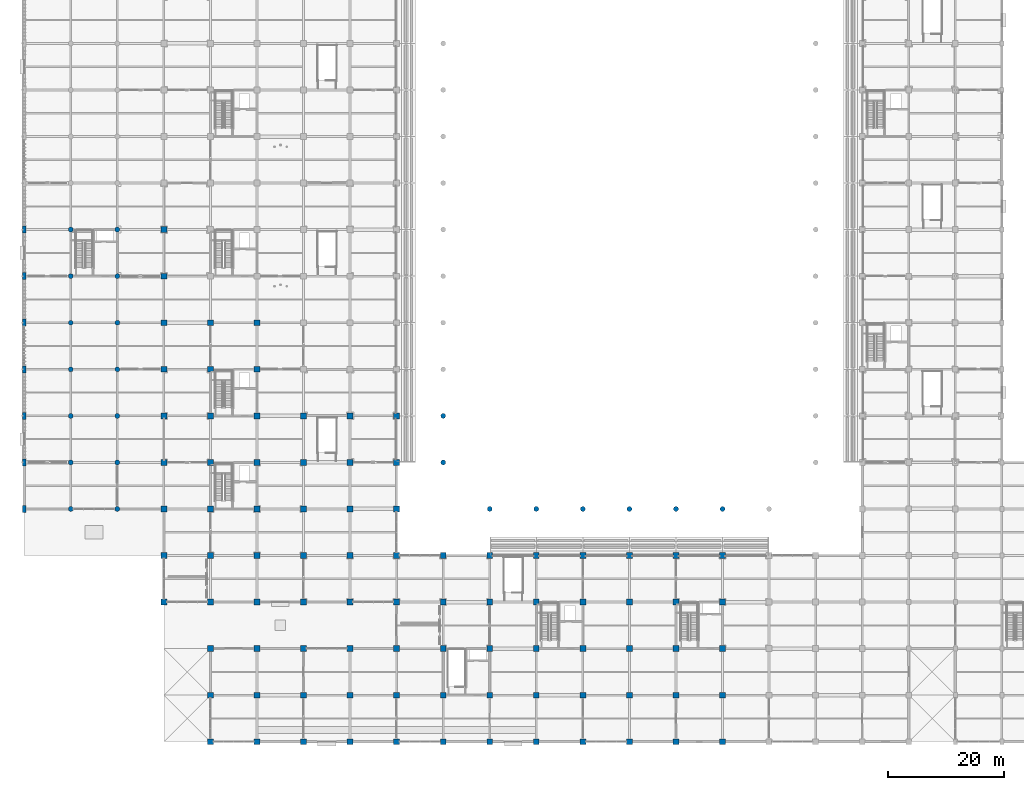
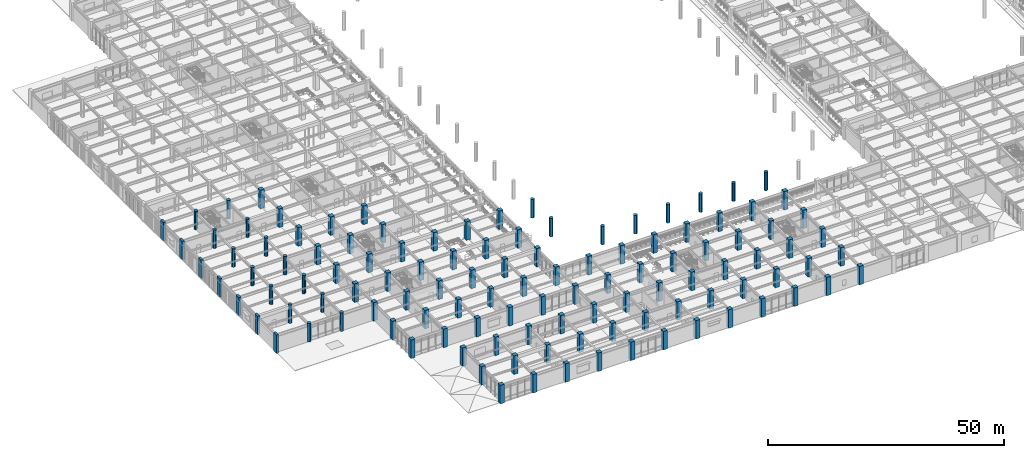
# One storey, part 1 of 117: 117 columns.
"""IFC4 building model written with IfcOpenShell, lengths in metres."""

from ifc_helpers import new_model, si_unit, direction, frame, origin, origin_2d, place, context, subcontext, project, spatial, rectangle, circle, extrude, material, material_profile, profile_set, type_object, element, save


model = new_model("IFC4")

# Units and contexts
model_context = context("Model", 3, precision=1e-05, world=origin(), true_north=direction((0.0, 1.0)))
body_context = subcontext(model_context, "Body", "Model", "MODEL_VIEW")
ifc_project = project(units=[si_unit("LENGTHUNIT", "METRE"), si_unit("AREAUNIT", "SQUARE_METRE"), si_unit("VOLUMEUNIT", "CUBIC_METRE"), si_unit("PLANEANGLEUNIT", "RADIAN"), si_unit("MASSUNIT", "GRAM", prefix="KILO")], contexts=[model_context])

# Site, building, storey
site_placement = place(None, origin())
site = spatial("IfcSite", under=ifc_project, at=site_placement, CompositionType="ELEMENT")
building_placement = place(site_placement, origin())
building = spatial("IfcBuilding", under=site, at=building_placement, Name="Haebicheon Civic Stadium", CompositionType="ELEMENT")
storey_placement = place(building_placement, frame((0.0, 0.0, 4.800048828125)))
storey = spatial("IfcBuildingStorey", under=building, at=storey_placement, Name="L02", CompositionType="ELEMENT", Elevation=4.800048828125)

# Columns
ifc_material_1 = material(Name="Concrete C40/50", Category="concrete")
ifc_material_profile_1 = material_profile(ifc_material_1, rectangle(XDim=1.0, YDim=1.0, at=origin_2d()), Name="RC-COL-1000x1000")
ifc_profile_set_1 = profile_set([ifc_material_profile_1], Name="Concrete C40/50")
column_type_1 = type_object("IfcColumnType", Name="COL-RC-1000", PredefinedType="COLUMN", material=ifc_profile_set_1)
for number, where, z_axis, x_axis, name in (
    (1, (24.0, 24.0, 0.0), (0.0, 0.0, 1.0), (1.0, 0.0, 0.0), "L02 column 4/D"),
    (2, (24.0, 32.0, 0.0), (0.0, 0.0, 1.0), (1.0, 0.0, 0.0), "L02 column 4/E"),
    (3, (24.0, 40.0, 0.0), (0.0, 0.0, 1.0), (1.0, 0.0, 0.0), "L02 column 4/F"),
    (4, (24.0, 48.0, 0.0), (0.0, 0.0, 1.0), (1.0, 0.0, 0.0), "L02 column 4/G"),
    (5, (24.0, 56.0, 0.0), (0.0, 0.0, 1.0), (1.0, 0.0, 0.0), "L02 column 4/H"),
    (6, (24.0, 64.0, 0.0), (0.0, 0.0, 1.0), (1.0, 0.0, 0.0), "L02 column 4/J"),
    (7, (24.0, 72.0, 0.0), (0.0, 0.0, 1.0), (1.0, 0.0, 0.0), "L02 column 4/K"),
    (8, (24.0, 80.0, 0.0), (0.0, 0.0, 1.0), (1.0, 0.0, 0.0), "L02 column 4/L"),
    (9, (24.0, 88.0, 0.0), (0.0, 0.0, 1.0), (1.0, 0.0, 0.0), "L02 column 4/M"),
    (10, (32.0, 0.0, 0.0), (0.0, 0.0, 1.0), (1.0, 0.0, 0.0), "L02 column 5/A"),
    (11, (32.0, 8.0, 0.0), (0.0, 0.0, 1.0), (1.0, 0.0, 0.0), "L02 column 5/B"),
    (12, (32.0, 16.0, 0.0), (0.0, 0.0, 1.0), (1.0, 0.0, 0.0), "L02 column 5/C"),
    (13, (32.0, 24.0, 0.0), (0.0, 0.0, 1.0), (1.0, 0.0, 0.0), "L02 column 5/D"),
    (14, (32.0, 32.0, 0.0), (0.0, 0.0, 1.0), (1.0, 0.0, 0.0), "L02 column 5/E"),
    (15, (32.0, 40.0, 0.0), (0.0, 0.0, 1.0), (1.0, 0.0, 0.0), "L02 column 5/F"),
    (16, (32.0, 48.0, 0.0), (0.0, 0.0, 1.0), (1.0, 0.0, 0.0), "L02 column 5/G"),
    (17, (32.0, 56.0, 0.0), (0.0, 0.0, 1.0), (1.0, 0.0, 0.0), "L02 column 5/H"),
    (18, (32.0, 64.0, 0.0), (0.0, 0.0, 1.0), (1.0, 0.0, 0.0), "L02 column 5/J"),
    (19, (32.0, 72.0, 0.0), (0.0, 0.0, 1.0), (1.0, 0.0, 0.0), "L02 column 5/K"),
    (20, (40.0, 0.0, 0.0), (0.0, 0.0, 1.0), (1.0, 0.0, 0.0), "L02 column 6/A"),
    (21, (40.0, 8.0, 0.0), (0.0, 0.0, 1.0), (1.0, 0.0, 0.0), "L02 column 6/B"),
    (22, (40.0, 16.0, 0.0), (0.0, 0.0, 1.0), (1.0, 0.0, 0.0), "L02 column 6/C"),
    (23, (40.0, 24.0, 0.0), (0.0, 0.0, 1.0), (1.0, 0.0, 0.0), "L02 column 6/D"),
    (24, (40.0, 32.0, 0.0), (0.0, 0.0, 1.0), (1.0, 0.0, 0.0), "L02 column 6/E"),
    (25, (40.0, 40.0, 0.0), (0.0, 0.0, 1.0), (1.0, 0.0, 0.0), "L02 column 6/F"),
    (26, (40.0, 48.0, 0.0), (0.0, 0.0, 1.0), (1.0, 0.0, 0.0), "L02 column 6/G"),
    (27, (40.0, 56.0, 0.0), (0.0, 0.0, 1.0), (1.0, 0.0, 0.0), "L02 column 6/H"),
    (28, (40.0, 64.0, 0.0), (0.0, 0.0, 1.0), (1.0, 0.0, 0.0), "L02 column 6/J"),
    (29, (40.0, 72.0, 0.0), (0.0, 0.0, 1.0), (1.0, 0.0, 0.0), "L02 column 6/K"),
    (30, (48.0, 0.0, 0.0), (0.0, 0.0, 1.0), (1.0, 0.0, 0.0), "L02 column 7/A"),
    (31, (48.0, 8.0, 0.0), (0.0, 0.0, 1.0), (1.0, 0.0, 0.0), "L02 column 7/B"),
    (32, (48.0, 16.0, 0.0), (0.0, 0.0, 1.0), (1.0, 0.0, 0.0), "L02 column 7/C"),
    (33, (48.0, 24.0, 0.0), (0.0, 0.0, 1.0), (1.0, 0.0, 0.0), "L02 column 7/D"),
    (34, (48.0, 32.0, 0.0), (0.0, 0.0, 1.0), (1.0, 0.0, 0.0), "L02 column 7/E"),
    (35, (48.0, 40.0, 0.0), (0.0, 0.0, 1.0), (1.0, 0.0, 0.0), "L02 column 7/F"),
    (36, (48.0, 48.0, 0.0), (0.0, 0.0, 1.0), (1.0, 0.0, 0.0), "L02 column 7/G"),
    (37, (48.0, 56.0, 0.0), (0.0, 0.0, 1.0), (1.0, 0.0, 0.0), "L02 column 7/H"),
    (38, (56.0, 0.0, 0.0), (0.0, 0.0, 1.0), (1.0, 0.0, 0.0), "L02 column 8/A"),
    (39, (56.0, 8.0, 0.0), (0.0, 0.0, 1.0), (1.0, 0.0, 0.0), "L02 column 8/B"),
    (40, (56.0, 16.0, 0.0), (0.0, 0.0, 1.0), (1.0, 0.0, 0.0), "L02 column 8/C"),
    (41, (56.0, 24.0, 0.0), (0.0, 0.0, 1.0), (1.0, 0.0, 0.0), "L02 column 8/D"),
    (42, (56.0, 32.0, 0.0), (0.0, 0.0, 1.0), (1.0, 0.0, 0.0), "L02 column 8/E"),
    (43, (56.0, 40.0, 0.0), (0.0, 0.0, 1.0), (1.0, 0.0, 0.0), "L02 column 8/F"),
    (44, (56.0, 48.0, 0.0), (0.0, 0.0, 1.0), (1.0, 0.0, 0.0), "L02 column 8/G"),
    (45, (56.0, 56.0, 0.0), (0.0, 0.0, 1.0), (1.0, 0.0, 0.0), "L02 column 8/H"),
    (46, (64.0, 0.0, 0.0), (0.0, 0.0, 1.0), (1.0, 0.0, 0.0), "L02 column 9/A"),
    (47, (64.0, 8.0, 0.0), (0.0, 0.0, 1.0), (1.0, 0.0, 0.0), "L02 column 9/B"),
    (48, (64.0, 16.0, 0.0), (0.0, 0.0, 1.0), (1.0, 0.0, 0.0), "L02 column 9/C"),
    (49, (64.0, 24.0, 0.0), (0.0, 0.0, 1.0), (1.0, 0.0, 0.0), "L02 column 9/D"),
    (50, (64.0, 32.0, 0.0), (0.0, 0.0, 1.0), (1.0, 0.0, 0.0), "L02 column 9/E"),
    (51, (64.0, 40.0, 0.0), (0.0, 0.0, 1.0), (1.0, 0.0, 0.0), "L02 column 9/F"),
    (52, (64.0, 48.0, 0.0), (0.0, 0.0, 1.0), (1.0, 0.0, 0.0), "L02 column 9/G"),
    (53, (64.0, 56.0, 0.0), (0.0, 0.0, 1.0), (1.0, 0.0, 0.0), "L02 column 9/H"),
    (54, (72.0, 0.0, 0.0), (0.0, 0.0, 1.0), (1.0, 0.0, 0.0), "L02 column 10/A"),
    (55, (72.0, 8.0, 0.0), (0.0, 0.0, 1.0), (1.0, 0.0, 0.0), "L02 column 10/B"),
    (56, (72.0, 16.0, 0.0), (0.0, 0.0, 1.0), (1.0, 0.0, 0.0), "L02 column 10/C"),
    (57, (72.0, 24.0, 0.0), (0.0, 0.0, 1.0), (1.0, 0.0, 0.0), "L02 column 10/D"),
    (58, (72.0, 32.0, 0.0), (0.0, 0.0, 1.0), (1.0, 0.0, 0.0), "L02 column 10/E"),
    (59, (80.0, 0.0, 0.0), (0.0, 0.0, 1.0), (1.0, 0.0, 0.0), "L02 column 11/A"),
    (60, (80.0, 8.0, 0.0), (0.0, 0.0, 1.0), (1.0, 0.0, 0.0), "L02 column 11/B"),
    (61, (80.0, 16.0, 0.0), (0.0, 0.0, 1.0), (1.0, 0.0, 0.0), "L02 column 11/C"),
    (62, (80.0, 24.0, 0.0), (0.0, 0.0, 1.0), (1.0, 0.0, 0.0), "L02 column 11/D"),
    (63, (80.0, 32.0, 0.0), (0.0, 0.0, 1.0), (1.0, 0.0, 0.0), "L02 column 11/E"),
    (64, (88.0, 0.0, 0.0), (0.0, 0.0, 1.0), (1.0, 0.0, 0.0), "L02 column 12/A"),
    (65, (88.0, 8.0, 0.0), (0.0, 0.0, 1.0), (1.0, 0.0, 0.0), "L02 column 12/B"),
    (66, (88.0, 16.0, 0.0), (0.0, 0.0, 1.0), (1.0, 0.0, 0.0), "L02 column 12/C"),
    (67, (88.0, 24.0, 0.0), (0.0, 0.0, 1.0), (1.0, 0.0, 0.0), "L02 column 12/D"),
    (68, (88.0, 32.0, 0.0), (0.0, 0.0, 1.0), (1.0, 0.0, 0.0), "L02 column 12/E"),
    (69, (96.0, 0.0, 0.0), (0.0, 0.0, 1.0), (1.0, 0.0, 0.0), "L02 column 13/A"),
    (70, (96.0, 8.0, 0.0), (0.0, 0.0, 1.0), (1.0, 0.0, 0.0), "L02 column 13/B"),
    (71, (96.0, 16.0, 0.0), (0.0, 0.0, 1.0), (1.0, 0.0, 0.0), "L02 column 13/C"),
    (72, (96.0, 24.0, 0.0), (0.0, 0.0, 1.0), (1.0, 0.0, 0.0), "L02 column 13/D"),
    (73, (96.0, 32.0, 0.0), (0.0, 0.0, 1.0), (1.0, 0.0, 0.0), "L02 column 13/E"),
    (74, (104.0, 0.0, 0.0), (0.0, 0.0, 1.0), (1.0, 0.0, 0.0), "L02 column 14/A"),
    (75, (104.0, 8.0, 0.0), (0.0, 0.0, 1.0), (1.0, 0.0, 0.0), "L02 column 14/B"),
    (76, (104.0, 16.0, 0.0), (0.0, 0.0, 1.0), (1.0, 0.0, 0.0), "L02 column 14/C"),
    (77, (104.0, 24.0, 0.0), (0.0, 0.0, 1.0), (1.0, 0.0, 0.0), "L02 column 14/D"),
    (78, (104.0, 32.0, 0.0), (0.0, 0.0, 1.0), (1.0, 0.0, 0.0), "L02 column 14/E"),
    (79, (112.0, 0.0, 0.0), (0.0, 0.0, 1.0), (1.0, 0.0, 0.0), "L02 column 15/A"),
    (80, (112.0, 8.0, 0.0), (0.0, 0.0, 1.0), (1.0, 0.0, 0.0), "L02 column 15/B"),
    (81, (112.0, 16.0, 0.0), (0.0, 0.0, 1.0), (1.0, 0.0, 0.0), "L02 column 15/C"),
    (82, (112.0, 24.0, 0.0), (0.0, 0.0, 1.0), (1.0, 0.0, 0.0), "L02 column 15/D"),
    (83, (112.0, 32.0, 0.0), (0.0, 0.0, 1.0), (1.0, 0.0, 0.0), "L02 column 15/E"),
    (84, (120.0, 0.0, 0.0), (0.0, 0.0, 1.0), (1.0, 0.0, 0.0), "L02 column 16/A"),
    (85, (120.0, 8.0, 0.0), (0.0, 0.0, 1.0), (1.0, 0.0, 0.0), "L02 column 16/B"),
    (86, (120.0, 16.0, 0.0), (0.0, 0.0, 1.0), (1.0, 0.0, 0.0), "L02 column 16/C"),
    (87, (120.0, 24.0, 0.0), (0.0, 0.0, 1.0), (1.0, 0.0, 0.0), "L02 column 16/D"),
    (88, (120.0, 32.0, 0.0), (0.0, 0.0, 1.0), (1.0, 0.0, 0.0), "L02 column 16/E"),
):
    element("IfcColumn", number, at=place(storey_placement, frame(where, z_axis=z_axis, x_axis=x_axis)), inside=storey, type_object=column_type_1, material=ifc_profile_set_1, Name=name, PredefinedType="COLUMN", context=body_context, shape_type="SweptSolid", body=[
        extrude(rectangle(XDim=1.0, YDim=1.0, at=origin_2d()), origin(), (0.0, 0.0, 1.0), 4.800048828125),
    ])
ifc_material_2 = material(Name="Concrete C40/50", Category="concrete")
ifc_material_profile_2 = material_profile(ifc_material_2, circle(Radius=0.425048828125, at=origin_2d()), Name="RC-COL-D850")
ifc_profile_set_2 = profile_set([ifc_material_profile_2], Name="Concrete C40/50")
column_type_2 = type_object("IfcColumnType", Name="COL-RC-D850", PredefinedType="COLUMN", material=ifc_profile_set_2)
for number, where, z_axis, x_axis, name in (
    (89, (8.0, 40.0, 0.0), (0.0, 0.0, 1.0), (1.0, 0.0, 0.0), "L02 column 2/F"),
    (90, (8.0, 48.0, 0.0), (0.0, 0.0, 1.0), (1.0, 0.0, 0.0), "L02 column 2/G"),
    (91, (8.0, 56.0, 0.0), (0.0, 0.0, 1.0), (1.0, 0.0, 0.0), "L02 column 2/H"),
    (92, (8.0, 64.0, 0.0), (0.0, 0.0, 1.0), (1.0, 0.0, 0.0), "L02 column 2/J"),
    (93, (8.0, 72.0, 0.0), (0.0, 0.0, 1.0), (1.0, 0.0, 0.0), "L02 column 2/K"),
    (94, (8.0, 80.0, 0.0), (0.0, 0.0, 1.0), (1.0, 0.0, 0.0), "L02 column 2/L"),
    (95, (8.0, 88.0, 0.0), (0.0, 0.0, 1.0), (1.0, 0.0, 0.0), "L02 column 2/M"),
    (96, (16.0, 40.0, 0.0), (0.0, 0.0, 1.0), (1.0, 0.0, 0.0), "L02 column 3/F"),
    (97, (16.0, 48.0, 0.0), (0.0, 0.0, 1.0), (1.0, 0.0, 0.0), "L02 column 3/G"),
    (98, (16.0, 56.0, 0.0), (0.0, 0.0, 1.0), (1.0, 0.0, 0.0), "L02 column 3/H"),
    (99, (16.0, 64.0, 0.0), (0.0, 0.0, 1.0), (1.0, 0.0, 0.0), "L02 column 3/J"),
    (100, (16.0, 72.0, 0.0), (0.0, 0.0, 1.0), (1.0, 0.0, 0.0), "L02 column 3/K"),
    (101, (16.0, 80.0, 0.0), (0.0, 0.0, 1.0), (1.0, 0.0, 0.0), "L02 column 3/L"),
    (102, (16.0, 88.0, 0.0), (0.0, 0.0, 1.0), (1.0, 0.0, 0.0), "L02 column 3/M"),
    (103, (72.0, 48.0, 0.0), (0.0, 0.0, 1.0), (1.0, 0.0, 0.0), "Bowl/canopy support column 72/48 (L02)"),
    (104, (72.0, 56.0, 0.0), (0.0, 0.0, 1.0), (1.0, 0.0, 0.0), "Bowl/canopy support column 72/56 (L02)"),
    (105, (80.0, 40.0, 0.0), (0.0, 0.0, 1.0), (1.0, 0.0, 0.0), "Bowl/canopy support column 80/40 (L02)"),
    (106, (88.0, 40.0, 0.0), (0.0, 0.0, 1.0), (1.0, 0.0, 0.0), "Bowl/canopy support column 88/40 (L02)"),
    (107, (96.0, 40.0, 0.0), (0.0, 0.0, 1.0), (1.0, 0.0, 0.0), "Bowl/canopy support column 96/40 (L02)"),
    (108, (104.0, 40.0, 0.0), (0.0, 0.0, 1.0), (1.0, 0.0, 0.0), "Bowl/canopy support column 104/40 (L02)"),
    (109, (112.0, 40.0, 0.0), (0.0, 0.0, 1.0), (1.0, 0.0, 0.0), "Bowl/canopy support column 112/40 (L02)"),
    (110, (120.0, 40.0, 0.0), (0.0, 0.0, 1.0), (1.0, 0.0, 0.0), "Bowl/canopy support column 120/40 (L02)"),
):
    element("IfcColumn", number, at=place(storey_placement, frame(where, z_axis=z_axis, x_axis=x_axis)), inside=storey, type_object=column_type_2, material=ifc_profile_set_2, Name=name, PredefinedType="COLUMN", context=body_context, shape_type="SweptSolid", body=[
        extrude(circle(Radius=0.425048828125, at=origin_2d()), origin(), (0.0, 0.0, 1.0), 4.800048828125),
    ])
ifc_material_3 = material(Name="Concrete C40/50", Category="concrete")
ifc_material_profile_3 = material_profile(ifc_material_3, rectangle(XDim=0.550048828125, YDim=1.199951171875, at=origin_2d()), Name="RC-PIL-550x1200")
ifc_profile_set_3 = profile_set([ifc_material_profile_3], Name="Concrete C40/50")
column_type_3 = type_object("IfcColumnType", Name="PIL-RC-550x1200", PredefinedType="PILASTER", material=ifc_profile_set_3)
for number, where, z_axis, x_axis, name in (
    (111, (0.0, 40.0, 0.0), (0.0, 0.0, 1.0), (1.0, 0.0, 0.0), "L02 column 1/F"),
    (112, (0.0, 48.0, 0.0), (0.0, 0.0, 1.0), (1.0, 0.0, 0.0), "L02 column 1/G"),
    (113, (0.0, 56.0, 0.0), (0.0, 0.0, 1.0), (1.0, 0.0, 0.0), "L02 column 1/H"),
    (114, (0.0, 64.0, 0.0), (0.0, 0.0, 1.0), (1.0, 0.0, 0.0), "L02 column 1/J"),
    (115, (0.0, 72.0, 0.0), (0.0, 0.0, 1.0), (1.0, 0.0, 0.0), "L02 column 1/K"),
    (116, (0.0, 80.0, 0.0), (0.0, 0.0, 1.0), (1.0, 0.0, 0.0), "L02 column 1/L"),
    (117, (0.0, 88.0, 0.0), (0.0, 0.0, 1.0), (1.0, 0.0, 0.0), "L02 column 1/M"),
):
    element("IfcColumn", number, at=place(storey_placement, frame(where, z_axis=z_axis, x_axis=x_axis)), inside=storey, type_object=column_type_3, material=ifc_profile_set_3, Name=name, PredefinedType="PILASTER", context=body_context, shape_type="SweptSolid", body=[
        extrude(rectangle(XDim=0.550048828125, YDim=1.199951171875, at=origin_2d()), origin(), (0.0, 0.0, 1.0), 4.800048828125),
    ])

save(model, "model.ifc")
